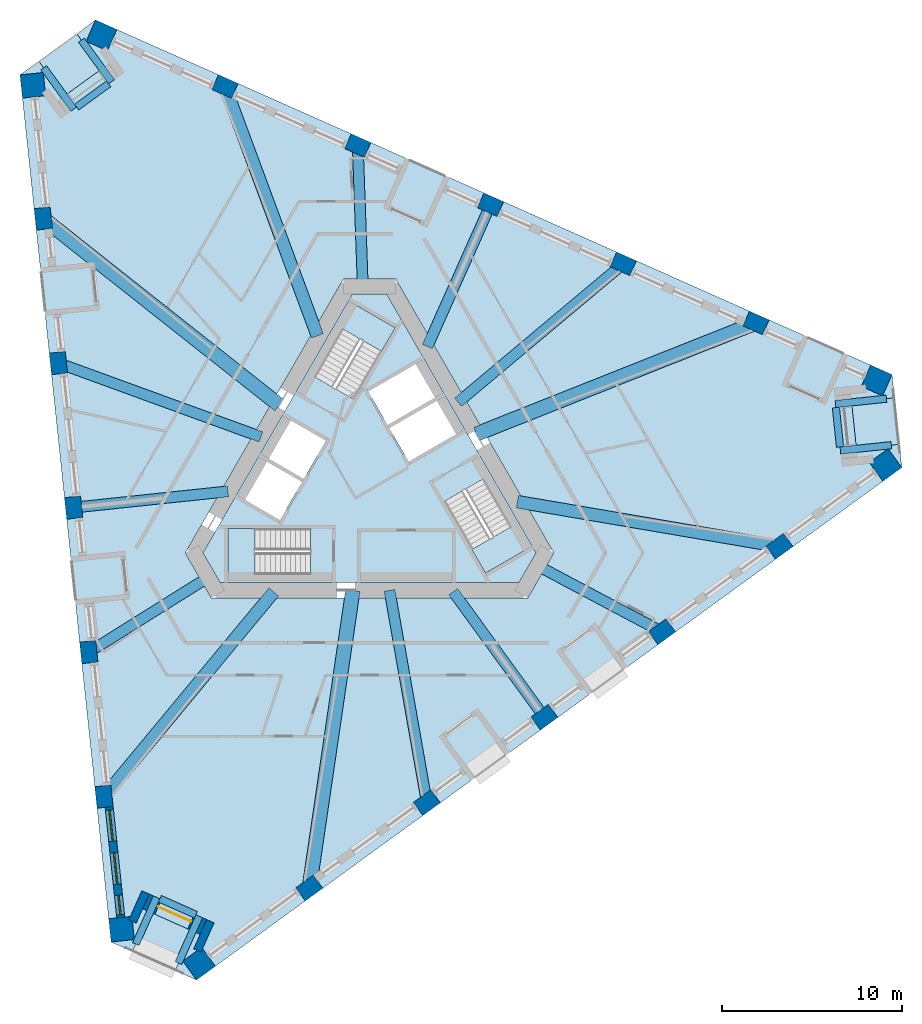
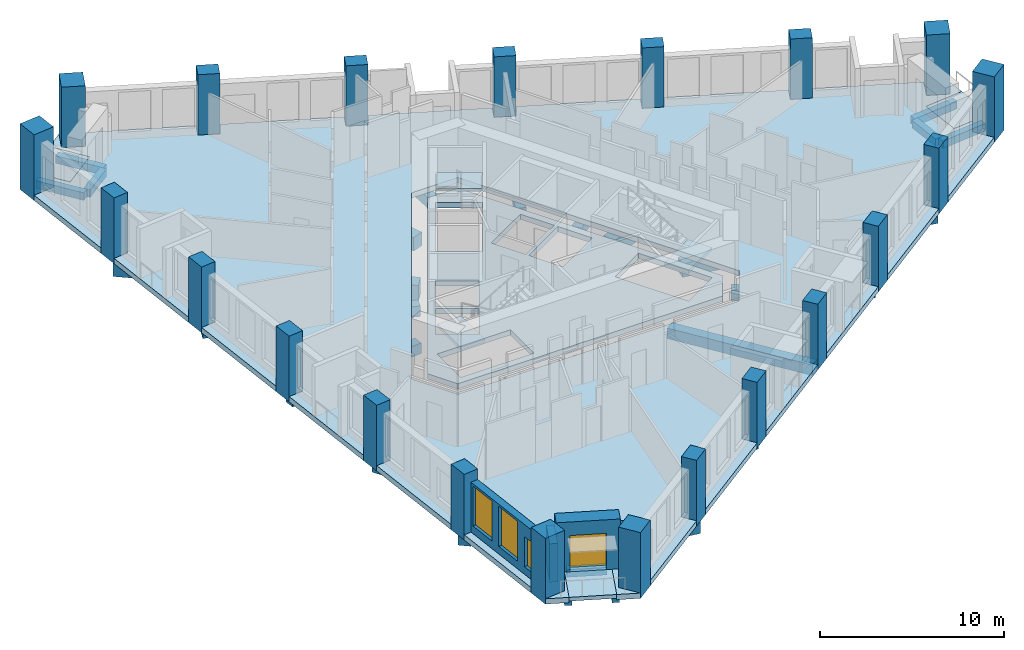
# One storey, part 1 of 14: 24 beams, 21 columns, 8 slabs, 4 walls, 3 windows, 1 door, 4 openings, 3 elements without a shape of their own.
"""IFC4 building model written with IfcOpenShell, lengths in metres."""

import ifcopenshell
import ifcopenshell.guid

model = None  # the IFC model being written
_history = None  # IfcOwnerHistory: only IFC2X3 demands one
_inside = {}  # id of a spatial element -> (the spatial element, [elements in it])
_under = {}  # id of a project, library or spatial element -> (it, [spatial elements below it])
_declared = {}  # id of a project -> (the project, [libraries it declares])
_typed = {}  # id of a type object -> (the type object, [elements of that type])
_made_of = {}  # id of a material, layer set ... -> (it, [elements and type objects made of it])


def new_model(schema):
    """Start an empty IFC model of exactly this schema.

    Asked for "IFC4X3", IfcOpenShell would pick the latest addendum, in which some entities
    have other attributes; the version numbers below select the first issue.
    IFC2X3 requires an IfcOwnerHistory on every rooted entity: one is made here for all.
    """
    global model, _history
    if schema == "IFC4X3":
        model = ifcopenshell.file(schema_version=(4, 3, 0, 0))
    else:
        model = ifcopenshell.file(schema=schema)
    _inside.clear()
    _under.clear()
    _declared.clear()
    _typed.clear()
    _made_of.clear()
    _history = None
    if model.schema == "IFC2X3":
        org = make("IfcOrganization", Name="unknown")
        user = make(
            "IfcPersonAndOrganization",
            ThePerson=make("IfcPerson", FamilyName="unknown"),
            TheOrganization=org,
        )
        app = make(
            "IfcApplication",
            ApplicationDeveloper=org,
            Version="unknown",
            ApplicationFullName="unknown",
            ApplicationIdentifier="unknown",
        )
        _history = make(
            "IfcOwnerHistory",
            OwningUser=user,
            OwningApplication=app,
            ChangeAction="ADDED",
            CreationDate=0,
        )
    return model


def make(cls, **values):
    """One entity of the class cls with the attributes given. An attribute that is None is left unset."""
    return model.create_entity(
        cls, **{name: value for name, value in values.items() if value is not None}
    )


def rooted(cls, **values):
    """An entity with a GlobalId (a new one), such as an element, a storey or a relation."""
    return make(cls, GlobalId=ifcopenshell.guid.new(), OwnerHistory=_history, **values)


def si_unit(unit_type, name, prefix=None):
    """IfcSIUnit, for example si_unit("LENGTHUNIT", "METRE", prefix="MILLI")."""
    return make("IfcSIUnit", UnitType=unit_type, Prefix=prefix, Name=name)


def assignment(units):
    """IfcUnitAssignment: the units of a project."""
    return None if units is None else make("IfcUnitAssignment", Units=units)


def point(xyz):
    """IfcCartesianPoint."""
    return None if xyz is None else make("IfcCartesianPoint", Coordinates=xyz)


def direction(xyz):
    """IfcDirection."""
    return None if xyz is None else make("IfcDirection", DirectionRatios=xyz)


def frame(location, z_axis=None, x_axis=None):
    """IfcAxis2Placement3D, a coordinate frame: its origin and axes. An axis left out is left unset."""
    return make(
        "IfcAxis2Placement3D",
        Location=point(location),
        Axis=direction(z_axis),
        RefDirection=direction(x_axis),
    )


def frame_2d(location, x_axis=None):
    """IfcAxis2Placement2D, a coordinate frame in the plane: its origin and x axis."""
    return make(
        "IfcAxis2Placement2D", Location=point(location), RefDirection=direction(x_axis)
    )


def origin():
    """The frame at (0, 0, 0) with its axes left unset."""
    return frame((0.0, 0.0, 0.0))


def origin_2d():
    """The frame at (0, 0) in the plane with its x axis left unset."""
    return frame_2d((0.0, 0.0))


def place(relative_to, where):
    """IfcLocalPlacement: puts the frame where relative to a parent placement (None: the world)."""
    return make(
        "IfcLocalPlacement", PlacementRelTo=relative_to, RelativePlacement=where
    )


def context(
    kind, dimensions, precision=None, world=None, true_north=None, identifier=None
):
    """IfcGeometricRepresentationContext, for example the 3D "Model" context."""
    return make(
        "IfcGeometricRepresentationContext",
        ContextIdentifier=identifier,
        ContextType=kind,
        CoordinateSpaceDimension=dimensions,
        Precision=precision,
        WorldCoordinateSystem=world,
        TrueNorth=true_north,
    )


def subcontext(parent, identifier, kind, view, scale=None):
    """IfcGeometricRepresentationSubContext, for example "Body" below "Model"."""
    return make(
        "IfcGeometricRepresentationSubContext",
        ContextIdentifier=identifier,
        ContextType=kind,
        ParentContext=parent,
        TargetScale=scale,
        TargetView=view,
    )


def project(units=None, contexts=None):
    """IfcProject with its units and contexts."""
    return rooted(
        "IfcProject",
        Name="project",
        RepresentationContexts=contexts,
        UnitsInContext=assignment(units),
    )


def spatial(cls, under=None, at=None, **own):
    """A site, building, storey or space (cls), placed at a placement, below another one or the project."""
    s = rooted(cls, ObjectPlacement=at, **own)
    if under is not None:
        _under.setdefault(under.id(), (under, []))[1].append(s)
    return s


def polyline(points):
    """IfcPolyline through the points."""
    return make("IfcPolyline", Points=[point(p) for p in points])


def profile(cls, at=None, kind="AREA", **sizes):
    """A parametric profile (cls). Its sizes go by their IFC names, for example OverallWidth=200.0."""
    return make(cls, ProfileType=kind, Position=at, **sizes)


def rectangle(**sizes):
    """IfcRectangleProfileDef."""
    return profile("IfcRectangleProfileDef", **sizes)


def outline(outer, holes=None, kind="AREA"):
    """IfcArbitraryClosedProfileDef: a profile drawn as a closed curve; with holes, ...WithVoids."""
    if holes is None:
        return make("IfcArbitraryClosedProfileDef", ProfileType=kind, OuterCurve=outer)
    return make(
        "IfcArbitraryProfileDefWithVoids",
        ProfileType=kind,
        OuterCurve=outer,
        InnerCurves=holes,
    )


def extrude(swept, where, along, depth):
    """IfcExtrudedAreaSolid: the profile swept, set in the frame where, extruded along a direction by depth."""
    return make(
        "IfcExtrudedAreaSolid",
        SweptArea=swept,
        Position=where,
        ExtrudedDirection=direction(along),
        Depth=depth,
    )


def shape(context_of_items, identifier, shape_type, items):
    """IfcShapeRepresentation: the items that make up one representation, for example the "Body"."""
    return make(
        "IfcShapeRepresentation",
        ContextOfItems=context_of_items,
        RepresentationIdentifier=identifier,
        RepresentationType=shape_type,
        Items=items,
    )


def material(Name=None, Category=None):
    """IfcMaterial."""
    return make("IfcMaterial", Name=Name, Category=Category)


def layer(
    of_material, thickness, ventilated=None, Name=None, Category=None, Priority=None
):
    """IfcMaterialLayer: one layer of a wall or slab, of a material (None: an air gap)."""
    return make(
        "IfcMaterialLayer",
        Material=of_material,
        LayerThickness=thickness,
        IsVentilated=ventilated,
        Name=Name,
        Category=Category,
        Priority=Priority,
    )


def layer_set(layers, Name=None):
    """IfcMaterialLayerSet."""
    return make("IfcMaterialLayerSet", MaterialLayers=layers, LayerSetName=Name)


def material_profile(
    of_material, cross_section, Name=None, Category=None, Priority=None
):
    """IfcMaterialProfile: a cross section and its material."""
    return make(
        "IfcMaterialProfile",
        Name=Name,
        Material=of_material,
        Profile=cross_section,
        Priority=Priority,
        Category=Category,
    )


def profile_set(profiles, Name=None, composite=None):
    """IfcMaterialProfileSet."""
    return make(
        "IfcMaterialProfileSet",
        Name=Name,
        MaterialProfiles=profiles,
        CompositeProfile=composite,
    )


def made_of(thing, what):
    """Note that an element or type object is made of a material, layer set ...; save() writes the relation."""
    if what is not None:
        _made_of.setdefault(what.id(), (what, []))[1].append(thing)
    return thing


def type_object(cls, material=None, **own):
    """A type object (cls), such as IfcWallType, which elements share."""
    return made_of(rooted(cls, **own), material)


def element(
    cls,
    number,
    at=None,
    inside=None,
    cuts=None,
    type_object=None,
    material=None,
    context=None,
    identifier="Body",
    shape_type=None,
    held_by="IfcProductDefinitionShape",
    body=None,
    shapes=None,
    **own,
):
    """One element of the class cls, such as IfcWall. Its Tag is "e" and its number.

    at: its placement. inside: the storey or other place that contains it. cuts: it is an
    opening in that element (IfcRelVoidsElement). A single representation is given by context,
    identifier, shape_type and body (its items); several are given by shapes. held_by: the class
    of the entity that holds the representations. save() writes the other relations.
    """
    e = rooted(cls, Tag="e%d" % number, ObjectPlacement=at, **own)
    if body is not None:
        shapes = [shape(context, identifier, shape_type, body)]
    if shapes is not None:
        e.Representation = make(held_by, Representations=shapes)
    if inside is not None:
        _inside.setdefault(inside.id(), (inside, []))[1].append(e)
    if cuts is not None:
        rooted(
            "IfcRelVoidsElement", RelatingBuildingElement=cuts, RelatedOpeningElement=e
        )
    if type_object is not None:
        _typed.setdefault(type_object.id(), (type_object, []))[1].append(e)
    return made_of(e, material)


def fill(opening, filler):
    """IfcRelFillsElement: the door or window that sits in an opening."""
    return rooted(
        "IfcRelFillsElement",
        RelatingOpeningElement=opening,
        RelatedBuildingElement=filler,
    )


def aggregate(whole, parts):
    """IfcRelAggregates: a whole, such as a stair, and the parts it consists of."""
    return rooted("IfcRelAggregates", RelatingObject=whole, RelatedObjects=parts)


def save(model, path):
    """Write the relations noted so far, then the file.

    IfcRelAggregates (storeys below a building ...), IfcRelContainedInSpatialStructure (elements
    in a storey), IfcRelDefinesByType, IfcRelAssociatesMaterial and IfcRelDeclares: one each for
    every whole, place, type object, material and project.
    """
    for whole, parts in _under.values():
        aggregate(whole, parts)
    for where, things in _inside.values():
        rooted(
            "IfcRelContainedInSpatialStructure",
            RelatedElements=things,
            RelatingStructure=where,
        )
    for kind, things in _typed.values():
        rooted("IfcRelDefinesByType", RelatedObjects=things, RelatingType=kind)
    for what, things in _made_of.values():
        rooted("IfcRelAssociatesMaterial", RelatedObjects=things, RelatingMaterial=what)
    for by, libraries in _declared.values():
        rooted("IfcRelDeclares", RelatingContext=by, RelatedDefinitions=libraries)
    model.write(path)


model = new_model("IFC4")

# Units and contexts
model_context = context("Model", 3, precision=1e-05, world=origin(), true_north=direction((0.0, 1.0)))
body_context = subcontext(model_context, "Body", "Model", "MODEL_VIEW")
ifc_project = project(units=[si_unit("LENGTHUNIT", "METRE"), si_unit("AREAUNIT", "SQUARE_METRE"), si_unit("VOLUMEUNIT", "CUBIC_METRE"), si_unit("PLANEANGLEUNIT", "RADIAN"), si_unit("MASSUNIT", "GRAM", prefix="KILO")], contexts=[model_context])

# Site, building, storey
site_placement = place(None, origin())
site = spatial("IfcSite", under=ifc_project, at=site_placement, CompositionType="ELEMENT")
building_placement = place(site_placement, origin())
building = spatial("IfcBuilding", under=site, at=building_placement, Name="Tramontana Tower", CompositionType="ELEMENT")
storey_placement = place(building_placement, frame((0.0, 0.0, 162.800048828125)))
storey = spatial("IfcBuildingStorey", under=building, at=storey_placement, Name="L37", CompositionType="ELEMENT", Elevation=162.800048828125)

# Columns
ifc_material_1 = material(Name="Concrete 55 MPa", Category="concrete")
ifc_material_profile_1 = material_profile(ifc_material_1, rectangle(XDim=1.300048828125, YDim=1.300048828125, at=origin_2d()), Name="Mega column 1300X1300 55 MPa")
ifc_profile_set_1 = profile_set([ifc_material_profile_1], Name="Concrete 55 MPa")
column_type_1 = type_object("IfcColumnType", Name="Mega column 1300X1300 55 MPa", PredefinedType="COLUMN", material=ifc_profile_set_1)
for number, where, z_axis, x_axis, name in (
    (1, (-18.72705078125, 21.760498046875, -0.35009765625), (0.0, 0.0, 1.0), (0.104528463268, -0.994521895368, 0.0), "Mega column C4K1 L37"),
    (2, (-13.793701171875, -25.178466796875, -0.35009765625), (0.0, 0.0, 1.0), (0.104528463268, -0.994521895368, 0.0), "Mega column C4K2 L37"),
    (3, (-9.4814453125, -27.098388671875, -0.35009765625), (0.0, 0.0, 1.0), (0.809016994375, 0.587785252292, 0.0), "Mega column C4K3 L37"),
    (4, (28.7021484375, 0.6435546875, -0.35009765625), (0.0, 0.0, 1.0), (0.809016994375, 0.587785252292, 0.0), "Mega column C4K4 L37"),
    (5, (28.208740234375, 5.337890625, -0.35009765625), (0.0, 0.0, 1.0), (-0.913545457643, 0.406736643076, 0.0), "Mega column C4K5 L37"),
    (6, (-14.908447265625, 24.534912109375, -0.35009765625), (0.0, 0.0, 1.0), (-0.913545457643, 0.406736643076, 0.0), "Mega column C4K6 L37"),
):
    element("IfcColumn", number, at=place(storey_placement, frame(where, z_axis=z_axis, x_axis=x_axis)), inside=storey, type_object=column_type_1, Name=name, PredefinedType="COLUMN", context=body_context, shape_type="SweptSolid", body=[
        extrude(rectangle(XDim=1.300048828125, YDim=1.300048828125, at=origin_2d()), origin(), (0.0, 0.0, 1.0), 4.35009765625),
    ])
ifc_material_2 = material(Name="Concrete 55 MPa", Category="concrete")
ifc_material_profile_2 = material_profile(ifc_material_2, rectangle(XDim=1.199951171875, YDim=0.89990234375, at=origin_2d()), Name="Pier column 1200X900 55 MPa")
ifc_profile_set_2 = profile_set([ifc_material_profile_2], Name="Concrete 55 MPa")
column_type_2 = type_object("IfcColumnType", Name="Pier column 1200X900 55 MPa", PredefinedType="COLUMN", material=ifc_profile_set_2)
for number, where, z_axis, x_axis, name in (
    (7, (-18.149169921875, 14.347412109375, -0.35009765625), (0.0, 0.0, 1.0), (0.104528463268, -0.994521895368, 0.0), "Pier column C4F01 L37"),
    (8, (-17.30419921875, 6.30859375, -0.35009765625), (0.0, 0.0, 1.0), (0.104528463268, -0.994521895368, 0.0), "Pier column C4F02 L37"),
    (9, (-16.459228515625, -1.72998046875, -0.35009765625), (0.0, 0.0, 1.0), (0.104528463268, -0.994521895368, 0.0), "Pier column C4F03 L37"),
    (10, (-15.614501953125, -9.7685546875, -0.35009765625), (0.0, 0.0, 1.0), (0.104528463268, -0.994521895368, 0.0), "Pier column C4F04 L37"),
    (11, (-14.76953125, -17.80712890625, -0.35009765625), (0.0, 0.0, 1.0), (0.104528463268, -0.994521895368, 0.0), "Pier column C4F05 L37"),
    (12, (-3.3505859375, -22.891357421875, -0.35009765625), (0.0, 0.0, 1.0), (0.809016994375, 0.587785252292, 0.0), "Pier column C4F06 L37"),
    (13, (3.188720703125, -18.14013671875, -0.35009765625), (0.0, 0.0, 1.0), (0.809016994375, 0.587785252292, 0.0), "Pier column C4F07 L37"),
    (14, (9.727783203125, -13.38916015625, -0.35009765625), (0.0, 0.0, 1.0), (0.809016994375, 0.587785252292, 0.0), "Pier column C4F08 L37"),
    (15, (16.26708984375, -8.63818359375, -0.35009765625), (0.0, 0.0, 1.0), (0.809016994375, 0.587785252292, 0.0), "Pier column C4F09 L37"),
    (16, (22.80615234375, -3.88720703125, -0.35009765625), (0.0, 0.0, 1.0), (0.809016994375, 0.587785252292, 0.0), "Pier column C4F10 L37"),
    (17, (21.499755859375, 8.5439453125, -0.35009765625), (0.0, 0.0, 1.0), (-0.913545457643, 0.406736643076, 0.0), "Pier column C4F11 L37"),
    (18, (14.115478515625, 11.83154296875, -0.35009765625), (0.0, 0.0, 1.0), (-0.913545457643, 0.406736643076, 0.0), "Pier column C4F12 L37"),
    (19, (6.7314453125, 15.119140625, -0.35009765625), (0.0, 0.0, 1.0), (-0.913545457643, 0.406736643076, 0.0), "Pier column C4F13 L37"),
    (20, (-0.652587890625, 18.40673828125, -0.35009765625), (0.0, 0.0, 1.0), (-0.913545457643, 0.406736643076, 0.0), "Pier column C4F14 L37"),
    (21, (-8.03662109375, 21.6943359375, -0.35009765625), (0.0, 0.0, 1.0), (-0.913545457643, 0.406736643076, 0.0), "Pier column C4F15 L37"),
):
    element("IfcColumn", number, at=place(storey_placement, frame(where, z_axis=z_axis, x_axis=x_axis)), inside=storey, type_object=column_type_2, Name=name, PredefinedType="COLUMN", context=body_context, shape_type="SweptSolid", body=[
        extrude(rectangle(XDim=1.199951171875, YDim=0.89990234375, at=origin_2d()), origin(), (0.0, 0.0, 1.0), 4.35009765625),
    ])

# Beams
ifc_material_3 = material(Name="Concrete 40 MPa", Category="concrete")
ifc_material_profile_3 = material_profile(ifc_material_3, rectangle(XDim=0.60009765625, YDim=0.699951171875, at=origin_2d()), Name="RC GIRDER 600X700 40 MPa")
ifc_profile_set_3 = profile_set([ifc_material_profile_3], Name="Concrete 40 MPa")
beam_type_1 = type_object("IfcBeamType", Name="RC GIRDER 600X700 40 MPa", PredefinedType="BEAM", material=ifc_profile_set_3)
beam_1_placement = place(storey_placement, frame((-17.30419921875, 6.30859375, -0.699951171875), z_axis=(0.939513090247, -0.342512997205, 0.0), x_axis=(0.342512997205, 0.939513090247, 0.0)))
element("IfcBeam", 22, at=beam_1_placement, inside=storey, type_object=beam_type_1, Name="Radial girder C4F02 L37", PredefinedType="BEAM", context=body_context, shape_type="SweptSolid", body=[
    extrude(rectangle(XDim=0.60009765625, YDim=0.699951171875, at=origin_2d()), origin(), (0.0, 0.0, 1.0), 11.989990234375),
])
beam_2_placement = place(storey_placement, frame((-16.459228515625, -1.72998046875, -0.699951171875), z_axis=(0.994520630985, 0.104540492367, 0.0), x_axis=(-0.104540492367, 0.994520630985, 0.0)))
element("IfcBeam", 23, at=beam_2_placement, inside=storey, type_object=beam_type_1, Name="Radial girder C4F03 L37", PredefinedType="BEAM", context=body_context, shape_type="SweptSolid", body=[
    extrude(rectangle(XDim=0.60009765625, YDim=0.699951171875, at=origin_2d()), origin(), (0.0, 0.0, 1.0), 8.631591796875),
])
beam_3_placement = place(storey_placement, frame((-15.614501953125, -9.7685546875, -0.699951171875), z_axis=(0.847767192537, 0.530368539091, 0.0), x_axis=(-0.530368539091, 0.847767192537, 0.0)))
element("IfcBeam", 24, at=beam_3_placement, inside=storey, type_object=beam_type_1, Name="Radial girder C4F04 L37", PredefinedType="BEAM", context=body_context, shape_type="SweptSolid", body=[
    extrude(rectangle(XDim=0.60009765625, YDim=0.699951171875, at=origin_2d()), origin(), (0.0, 0.0, 1.0), 7.83642578125),
])
beam_4_placement = place(storey_placement, frame((3.188720703125, -18.14013671875, -0.699951171875), z_axis=(-0.173139447083, 0.984897320467, 0.0), x_axis=(-0.984897320467, -0.173139447083, 0.0)))
element("IfcBeam", 25, at=beam_4_placement, inside=storey, type_object=beam_type_1, Name="Radial girder C4F07 L37", PredefinedType="BEAM", context=body_context, shape_type="SweptSolid", body=[
    extrude(rectangle(XDim=0.60009765625, YDim=0.699951171875, at=origin_2d()), origin(), (0.0, 0.0, 1.0), 11.989990234375),
])
beam_5_placement = place(storey_placement, frame((9.727783203125, -13.38916015625, -0.699951171875), z_axis=(-0.587793224159, 0.809011202415, 0.0), x_axis=(-0.809011202415, -0.587793224159, 0.0)))
element("IfcBeam", 26, at=beam_5_placement, inside=storey, type_object=beam_type_1, Name="Radial girder C4F08 L37", PredefinedType="BEAM", context=body_context, shape_type="SweptSolid", body=[
    extrude(rectangle(XDim=0.60009765625, YDim=0.699951171875, at=origin_2d()), origin(), (0.0, 0.0, 1.0), 8.63134765625),
])
beam_6_placement = place(storey_placement, frame((16.26708984375, -8.63818359375, -0.699951171875), z_axis=(-0.883198396805, 0.468999564905, 0.0), x_axis=(-0.468999564905, -0.883198396805, 0.0)))
element("IfcBeam", 27, at=beam_6_placement, inside=storey, type_object=beam_type_1, Name="Radial girder C4F09 L37", PredefinedType="BEAM", context=body_context, shape_type="SweptSolid", body=[
    extrude(rectangle(XDim=0.60009765625, YDim=0.699951171875, at=origin_2d()), origin(), (0.0, 0.0, 1.0), 7.83642578125),
])
beam_7_placement = place(storey_placement, frame((14.115478515625, 11.83154296875, -0.699951171875), z_axis=(-0.766377147971, -0.642390898961, 0.0), x_axis=(0.642390898961, -0.766377147971, 0.0)))
element("IfcBeam", 28, at=beam_7_placement, inside=storey, type_object=beam_type_1, Name="Radial girder C4F12 L37", PredefinedType="BEAM", context=body_context, shape_type="SweptSolid", body=[
    extrude(rectangle(XDim=0.60009765625, YDim=0.699951171875, at=origin_2d()), origin(), (0.0, 0.0, 1.0), 11.98974609375),
])
beam_8_placement = place(storey_placement, frame((6.7314453125, 15.119140625, -0.699951171875), z_axis=(-0.406736735655, -0.913545416424, 0.0), x_axis=(0.913545416424, -0.406736735655, 0.0)))
element("IfcBeam", 29, at=beam_8_placement, inside=storey, type_object=beam_type_1, Name="Radial girder C4F13 L37", PredefinedType="BEAM", context=body_context, shape_type="SweptSolid", body=[
    extrude(rectangle(XDim=0.60009765625, YDim=0.699951171875, at=origin_2d()), origin(), (0.0, 0.0, 1.0), 8.631591796875),
])
beam_9_placement = place(storey_placement, frame((-0.652587890625, 18.40673828125, -0.699951171875), z_axis=(0.035422608777, -0.999372422467, 0.0), x_axis=(0.999372422467, 0.035422608777, 0.0)))
element("IfcBeam", 30, at=beam_9_placement, inside=storey, type_object=beam_type_1, Name="Radial girder C4F14 L37", PredefinedType="BEAM", context=body_context, shape_type="SweptSolid", body=[
    extrude(rectangle(XDim=0.60009765625, YDim=0.699951171875, at=origin_2d()), origin(), (0.0, 0.0, 1.0), 7.83642578125),
])
ifc_material_4 = material(Name="Concrete 40 MPa", Category="concrete")
ifc_material_profile_4 = material_profile(ifc_material_4, rectangle(XDim=0.699951171875, YDim=0.89990234375, at=origin_2d()), Name="RC GIRDER 700X900 40 MPa")
ifc_profile_set_4 = profile_set([ifc_material_profile_4], Name="Concrete 40 MPa")
beam_type_2 = type_object("IfcBeamType", Name="RC GIRDER 700X900 40 MPa", PredefinedType="BEAM", material=ifc_profile_set_4)
for number, where, z_axis, x_axis, name in (
    (31, (-14.76953125, -17.80712890625, -0.800048828125), (0.638406477844, 0.769699401745, 0.0), (-0.769699401745, 0.638406477844, 0.0), "Radial girder C4F05 L37"),
    (32, (22.806396484375, -3.88720703125, -0.800048828125), (-0.985783673381, 0.168019490821, 0.0), (-0.168019490821, -0.985783673381, 0.0), "Radial girder C4F10 L37"),
    (33, (-8.03662109375, 21.6943359375, -0.800048828125), (0.347381556139, -0.93772386898, 0.0), (0.93772386898, 0.347381556139, 0.0), "Radial girder C4F15 L37"),
):
    element("IfcBeam", number, at=place(storey_placement, frame(where, z_axis=z_axis, x_axis=x_axis)), inside=storey, type_object=beam_type_2, Name=name, PredefinedType="BEAM", context=body_context, shape_type="SweptSolid", body=[
        extrude(rectangle(XDim=0.699951171875, YDim=0.89990234375, at=origin_2d()), origin(), (0.0, 0.0, 1.0), 14.79052734375),
    ])
ifc_material_5 = material(Name="Concrete 40 MPa", Category="concrete")
ifc_material_profile_5 = material_profile(ifc_material_5, rectangle(XDim=0.800048828125, YDim=1.10009765625, at=origin_2d()), Name="RC GIRDER 800X1100 40 MPa")
ifc_profile_set_5 = profile_set([ifc_material_profile_5], Name="Concrete 40 MPa")
beam_type_3 = type_object("IfcBeamType", Name="RC GIRDER 800X1100 40 MPa", PredefinedType="BEAM", material=ifc_profile_set_5)
for number, where, z_axis, x_axis, name in (
    (34, (-18.149169921875, 14.347412109375, -0.900146484375), (0.784478628915, -0.620155852005, 0.0), (0.620155852005, 0.784478628915, 0.0), "Radial girder C4F01 L37"),
    (35, (-3.3505859375, -22.891357421875, -0.900146484375), (0.144822515675, 0.989457648893, 0.0), (-0.989457648893, 0.144822515675, 0.0), "Radial girder C4F06 L37"),
):
    element("IfcBeam", number, at=place(storey_placement, frame(where, z_axis=z_axis, x_axis=x_axis)), inside=storey, type_object=beam_type_3, Name=name, PredefinedType="BEAM", context=body_context, shape_type="SweptSolid", body=[
        extrude(rectangle(XDim=0.800048828125, YDim=1.10009765625, at=origin_2d()), origin(), (0.0, 0.0, 1.0), 16.73828125),
    ])
beam_10_placement = place(storey_placement, frame((21.499755859375, 8.5439453125, -0.900146484375), z_axis=(-0.929307244414, -0.369307521558, 0.0), x_axis=(0.369307521558, -0.929307244414, 0.0)))
element("IfcBeam", 36, at=beam_10_placement, inside=storey, type_object=beam_type_3, Name="Radial girder C4F11 L37", PredefinedType="BEAM", context=body_context, shape_type="SweptSolid", body=[
    extrude(rectangle(XDim=0.800048828125, YDim=1.10009765625, at=origin_2d()), origin(), (0.0, 0.0, 1.0), 16.738525390625),
])
ifc_material_6 = material(Name="Concrete 40 MPa", Category="concrete")
ifc_material_profile_6 = material_profile(ifc_material_6, rectangle(XDim=0.39990234375, YDim=0.5, at=origin_2d()), Name="RC TRIM BEAM 400X500 40 MPa")
ifc_profile_set_6 = profile_set([ifc_material_profile_6], Name="Concrete 40 MPa")
beam_type_4 = type_object("IfcBeamType", Name="RC TRIM BEAM 400X500 40 MPa", PredefinedType="JOIST", material=ifc_profile_set_6)
beam_11_placement = place(storey_placement, frame((-14.510009765625, 21.8427734375, -0.60009765625), z_axis=(-0.809043118272, -0.587749294152, 0.0), x_axis=(0.587749294152, -0.809043118272, 0.0)))
element("IfcBeam", 37, at=beam_11_placement, inside=storey, type_object=beam_type_4, Name="Trimmer beam K0 L37", PredefinedType="JOIST", context=body_context, shape_type="SweptSolid", body=[
    extrude(rectangle(XDim=0.39990234375, YDim=0.5, at=origin_2d()), origin(), (0.0, 0.0, 1.0), 2.199951171875),
])
beam_12_placement = place(storey_placement, frame((-16.0234375, 24.26611328125, -0.60009765625), z_axis=(0.587759031922, -0.80903604394, 0.0), x_axis=(0.80903604394, 0.587759031922, 0.0)))
element("IfcBeam", 38, at=beam_12_placement, inside=storey, type_object=beam_type_4, Name="Tray beam K0L L37", PredefinedType="JOIST", context=body_context, shape_type="SweptSolid", body=[
    extrude(rectangle(XDim=0.39990234375, YDim=0.5, at=origin_2d()), origin(), (0.0, 0.0, 1.0), 2.849853515625),
])
beam_13_placement = place(storey_placement, frame((-18.126953125, 22.73779296875, -0.60009765625), z_axis=(0.587815099892, -0.808995307983, 0.0), x_axis=(0.808995307983, 0.587815099892, 0.0)))
element("IfcBeam", 39, at=beam_13_placement, inside=storey, type_object=beam_type_4, Name="Tray beam K0R L37", PredefinedType="JOIST", context=body_context, shape_type="SweptSolid", body=[
    extrude(rectangle(XDim=0.39990234375, YDim=0.5, at=origin_2d()), origin(), (0.0, 0.0, 1.0), 2.85009765625),
])
beam_14_placement = place(storey_placement, frame((-11.661376953125, -23.487548828125, -0.60009765625), z_axis=(0.913550510459, -0.406725294076, 0.0), x_axis=(0.406725294076, 0.913550510459, 0.0)))
element("IfcBeam", 40, at=beam_14_placement, inside=storey, type_object=beam_type_4, Name="Trimmer beam K1 L37", PredefinedType="JOIST", context=body_context, shape_type="SweptSolid", body=[
    extrude(rectangle(XDim=0.39990234375, YDim=0.5, at=origin_2d()), origin(), (0.0, 0.0, 1.0), 2.199951171875),
])
beam_15_placement = place(storey_placement, frame((-13.00341796875, -26.009765625, -0.60009765625), z_axis=(0.406782112653, 0.913525211927, 0.0), x_axis=(-0.913525211927, 0.406782112653, 0.0)))
element("IfcBeam", 41, at=beam_15_placement, inside=storey, type_object=beam_type_4, Name="Tray beam K1L L37", PredefinedType="JOIST", context=body_context, shape_type="SweptSolid", body=[
    extrude(rectangle(XDim=0.39990234375, YDim=0.5, at=origin_2d()), origin(), (0.0, 0.0, 1.0), 2.850341796875),
])
beam_16_placement = place(storey_placement, frame((-10.628173828125, -27.0673828125, -0.60009765625), z_axis=(0.406710626249, 0.913557040636, 0.0), x_axis=(-0.913557040636, 0.406710626249, 0.0)))
element("IfcBeam", 42, at=beam_16_placement, inside=storey, type_object=beam_type_4, Name="Tray beam K1R L37", PredefinedType="JOIST", context=body_context, shape_type="SweptSolid", body=[
    extrude(rectangle(XDim=0.39990234375, YDim=0.5, at=origin_2d()), origin(), (0.0, 0.0, 1.0), 2.85009765625),
])
beam_17_placement = place(storey_placement, frame((26.17138671875, 1.644775390625, -0.60009765625), z_axis=(-0.104546130575, 0.994520038301, 0.0), x_axis=(-0.994520038301, -0.104546130575, 0.0)))
element("IfcBeam", 43, at=beam_17_placement, inside=storey, type_object=beam_type_4, Name="Trimmer beam K2 L37", PredefinedType="JOIST", context=body_context, shape_type="SweptSolid", body=[
    extrude(rectangle(XDim=0.39990234375, YDim=0.5, at=origin_2d()), origin(), (0.0, 0.0, 1.0), 2.19970703125),
])
for number, where, z_axis, x_axis, name in (
    (44, (29.026611328125, 1.74365234375, -0.60009765625), (-0.994523276267, -0.104515324063, 0.0), (0.104515324063, -0.994523276267, 0.0), "Tray beam K2L L37"),
    (45, (28.7548828125, 4.329345703125, -0.60009765625), (-0.994523276267, -0.104515324063, 0.0), (0.104515324063, -0.994523276267, 0.0), "Tray beam K2R L37"),
):
    element("IfcBeam", number, at=place(storey_placement, frame(where, z_axis=z_axis, x_axis=x_axis)), inside=storey, type_object=beam_type_4, Name=name, PredefinedType="JOIST", context=body_context, shape_type="SweptSolid", body=[
        extrude(rectangle(XDim=0.39990234375, YDim=0.5, at=origin_2d()), origin(), (0.0, 0.0, 1.0), 2.849853515625),
    ])

# Slabs
ifc_material_7 = material(Name="Precast concrete 50 MPa", Category="concrete")
ifc_layer_1 = layer(ifc_material_7, 0.25)
ifc_layer_set_1 = layer_set([ifc_layer_1], Name="LT1 Loggia floor tray 250")
slab_type_1 = type_object("IfcSlabType", Name="LT1 Loggia floor tray 250", PredefinedType="FLOOR", material=ifc_layer_set_1)
slab_1_placement = place(storey_placement, frame((0.0, 0.0, -0.25)))
element("IfcSlab", 46, at=slab_1_placement, inside=storey, type_object=slab_type_1, Name="Corner loggia floor L37 K40", PredefinedType="FLOOR", context=body_context, shape_type="SweptSolid", body=[
    extrude(outline(polyline([(-16.287841796875, 24.630126953125), (-14.877197265625, 22.6884765625), (-16.980712890625, 21.16015625), (-18.391357421875, 23.101806640625), (-16.287841796875, 24.630126953125)])), origin(), (0.0, 0.0, 1.0), 0.25),
])
slab_2_placement = place(storey_placement, frame((0.0, 0.0, -0.25)))
element("IfcSlab", 47, at=slab_2_placement, inside=storey, type_object=slab_type_1, Name="Corner loggia floor L37 K41", PredefinedType="FLOOR", context=body_context, shape_type="SweptSolid", body=[
    extrude(outline(polyline([(-13.186279296875, -26.4208984375), (-12.210205078125, -24.228271484375), (-9.8349609375, -25.285888671875), (-10.81103515625, -27.478271484375), (-13.186279296875, -26.4208984375)])), origin(), (0.0, 0.0, 1.0), 0.25),
])
slab_3_placement = place(storey_placement, frame((0.0, 0.0, -0.25)))
element("IfcSlab", 48, at=slab_3_placement, inside=storey, type_object=slab_type_1, Name="Corner loggia floor L37 K42", PredefinedType="FLOOR", context=body_context, shape_type="SweptSolid", body=[
    extrude(outline(polyline([(29.474365234375, 1.790771484375), (27.08740234375, 1.539794921875), (26.815673828125, 4.12548828125), (29.202392578125, 4.37646484375), (29.474365234375, 1.790771484375)])), origin(), (0.0, 0.0, 1.0), 0.25),
])
ifc_material_8 = material(Name="Concrete 40 MPa", Category="concrete")
ifc_layer_2 = layer(ifc_material_8, 0.35009765625)
ifc_layer_set_2 = layer_set([ifc_layer_2], Name="PT FLAT SLAB 350 40 MPa")
slab_type_2 = type_object("IfcSlabType", Name="PT FLAT SLAB 350 40 MPa", PredefinedType="FLOOR", material=ifc_layer_set_2)
slab_4_placement = place(storey_placement, frame((0.0, 0.0, -0.35009765625)))
element("IfcSlab", 49, at=slab_4_placement, inside=storey, type_object=slab_type_2, Name="Floor slab L37", PredefinedType="FLOOR", context=body_context, shape_type="SweptSolid", body=[
    extrude(outline(polyline([(29.202392578125, 4.37646484375), (26.815673828125, 4.12548828125), (27.08740234375, 1.539794921875), (29.474365234375, 1.790771484375), (29.610107421875, 0.499755859375), (-9.625244140625, -28.00634765625), (-10.81103515625, -27.478271484375), (-9.8349609375, -25.285888671875), (-12.210205078125, -24.228271484375), (-13.186279296875, -26.4208984375), (-14.372314453125, -25.892822265625), (-19.441650390625, 22.3388671875), (-18.391357421875, 23.101806640625), (-16.980712890625, 21.16015625), (-14.877197265625, 22.6884765625), (-16.287841796875, 24.630126953125), (-15.23779296875, 25.39306640625), (29.06689453125, 5.66748046875), (29.202392578125, 4.37646484375)]), holes=[polyline([(-10.248046875, -4.25), (-8.8046875, -6.75), (8.8046875, -6.75), (10.248046875, -4.25), (1.443359375, 11.0), (-1.443359375, 11.0), (-10.248046875, -4.25)])]), origin(), (0.0, 0.0, 1.0), 0.35009765625),
])
slab_5_placement = place(storey_placement, frame((0.0, 0.0, -0.35009765625)))
element("IfcSlab", 50, at=slab_5_placement, inside=storey, type_object=slab_type_2, Name="Core floor slab L37", PredefinedType="FLOOR", context=body_context, shape_type="SweptSolid", body=[
    extrude(outline(polyline([(9.2666015625, -4.25), (8.313720703125, -5.89990234375), (-8.313720703125, -5.89990234375), (-9.2666015625, -4.25), (-0.95263671875, 10.14990234375), (0.95263671875, 10.14990234375), (9.2666015625, -4.25)]), holes=[polyline([(8.659912109375, -4.099365234375), (6.35986328125, -0.115478515625), (4.151611328125, -1.390625), (6.451416015625, -5.374267578125), (8.659912109375, -4.099365234375)]), polyline([(3.829833984375, 4.2666015625), (1.101806640625, 2.69140625), (2.177001953125, 0.82958984375), (4.90478515625, 2.404541015625), (3.829833984375, 4.2666015625)]), polyline([(2.65478515625, 6.3017578125), (-0.072998046875, 4.726806640625), (1.001953125, 2.86474609375), (3.729736328125, 4.439697265625), (2.65478515625, 6.3017578125)]), polyline([(-0.77978515625, 9.54931640625), (-3.079833984375, 5.565673828125), (-0.87158203125, 4.29052734375), (1.428466796875, 8.2744140625), (-0.77978515625, 9.54931640625)]), polyline([(-5.689697265625, 1.044921875), (-3.65478515625, -0.130126953125), (-2.4296875, 1.99169921875), (-4.46484375, 3.166748046875), (-5.689697265625, 1.044921875)]), polyline([(-3.280029296875, -5.449951171875), (-3.280029296875, -2.89990234375), (-7.8798828125, -2.89990234375), (-7.8798828125, -5.449951171875), (-3.280029296875, -5.449951171875)]), polyline([(-7.014892578125, -1.25), (-4.979736328125, -2.425048828125), (-3.754638671875, -0.30322265625), (-5.789794921875, 0.87158203125), (-7.014892578125, -1.25)])]), origin(), (0.0, 0.0, 1.0), 0.35009765625),
])

# Stair, slab
ifc_material_9 = material(Name="Concrete 40 MPa", Category="concrete")
stair_type = type_object("IfcStairType", Name="EXIT STAIR 24 RISERS", PredefinedType="HALF_TURN_STAIR", material=ifc_material_9)
stair_1_placement = place(storey_placement, origin())
stair_1 = element("IfcStair", 51, at=stair_1_placement, inside=storey, type_object=stair_type, Name="L37 Exit stair ST1", PredefinedType="HALF_TURN_STAIR")
ifc_material_10 = material(Name="Concrete 40 MPa", Category="concrete")
ifc_layer_3 = layer(ifc_material_10, 0.199951171875)
ifc_layer_set_3 = layer_set([ifc_layer_3], Name="STAIR LANDING 200")
slab_type_3 = type_object("IfcSlabType", Name="STAIR LANDING 200", PredefinedType="LANDING", material=ifc_layer_set_3)
slab_6_placement = place(storey_placement, frame((0.0, 0.0, 1.800048828125)))
slab_6 = element("IfcSlab", 52, at=slab_6_placement, type_object=slab_type_3, Name="ST1 landing 1", PredefinedType="LANDING", context=body_context, shape_type="SweptSolid", body=[
    extrude(outline(polyline([(0.66845703125, 6.9580078125), (1.428466796875, 8.274169921875), (-0.77978515625, 9.54931640625), (-1.539794921875, 8.23291015625), (0.66845703125, 6.9580078125)])), origin(), (0.0, 0.0, 1.0), 0.199951171875),
])
aggregate(stair_1, [slab_6])

stair_2_placement = place(storey_placement, origin())
stair_2 = element("IfcStair", 53, at=stair_2_placement, inside=storey, type_object=stair_type, Name="L37 Exit stair ST2", PredefinedType="HALF_TURN_STAIR")
slab_7_placement = place(storey_placement, frame((0.0, 0.0, 1.800048828125)))
slab_7 = element("IfcSlab", 54, at=slab_7_placement, type_object=slab_type_3, Name="ST2 landing 1", PredefinedType="LANDING", context=body_context, shape_type="SweptSolid", body=[
    extrude(outline(polyline([(-6.360107421875, -2.89990234375), (-7.8798828125, -2.89990234375), (-7.8798828125, -5.449951171875), (-6.360107421875, -5.449951171875), (-6.360107421875, -2.89990234375)])), origin(), (0.0, 0.0, 1.0), 0.199951171875),
])
aggregate(stair_2, [slab_7])

stair_3_placement = place(storey_placement, origin())
stair_3 = element("IfcStair", 55, at=stair_3_placement, inside=storey, type_object=stair_type, Name="L37 Exit stair ST3", PredefinedType="HALF_TURN_STAIR")
slab_8_placement = place(storey_placement, frame((0.0, 0.0, 1.800048828125)))
slab_8 = element("IfcSlab", 56, at=slab_8_placement, type_object=slab_type_3, Name="ST3 landing 1", PredefinedType="LANDING", context=body_context, shape_type="SweptSolid", body=[
    extrude(outline(polyline([(5.69140625, -4.057861328125), (6.451416015625, -5.374267578125), (8.659912109375, -4.099365234375), (7.89990234375, -2.782958984375), (5.69140625, -4.057861328125)])), origin(), (0.0, 0.0, 1.0), 0.199951171875),
])
aggregate(stair_3, [slab_8])

# Wall, openings, windows
ifc_material_11 = material(Name="Precast concrete 60 MPa", Category="concrete")
ifc_layer_4 = layer(ifc_material_11, 0.449951171875)
ifc_layer_set_4 = layer_set([ifc_layer_4], Name="Precast concrete 60 MPa, 450 mm")
wall_type_1 = type_object("IfcWallType", Name="EW1 Stone-faced precast wall 450", PredefinedType="SOLIDWALL", material=ifc_layer_set_4)
wall_1_placement = place(storey_placement, frame((-14.483154296875, -18.38037109375, 0.0), z_axis=(0.0, 0.0, 1.0), x_axis=(0.104557348575, -0.994518858976, 0.0)))
wall_1 = element("IfcWall", 57, at=wall_1_placement, inside=storey, type_object=wall_type_1, Name="External wall L37 face 0 bay 6", PredefinedType="SOLIDWALL", context=body_context, shape_type="SweptSolid", body=[
    extrude(rectangle(XDim=6.18310546875, YDim=0.449951171875, at=frame_2d((3.091552734375, 0.0))), origin(), (0.0, 0.0, 1.0), 3.300048828125),
])
opening_1_placement = place(wall_1_placement, frame((0.172119140625, 0.0, 0.5)))
opening_1 = element("IfcOpeningElement", 58, at=opening_1_placement, cuts=wall_1, Name="Opening M2", PredefinedType="OPENING", context=body_context, shape_type="SweptSolid", body=[
    extrude(rectangle(XDim=1.75, YDim=2.64990234375, at=frame_2d((0.875, 1.324951171875))), frame((0.0, 0.23486328125, 0.0), z_axis=(0.0, -1.0, 0.0), x_axis=(1.0, 0.0, 0.0)), (0.0, 0.0, 1.0), 0.469970703125),
])
opening_2_placement = place(wall_1_placement, frame((2.56640625, 0.0, 0.5)))
opening_2 = element("IfcOpeningElement", 59, at=opening_2_placement, cuts=wall_1, Name="Opening M2", PredefinedType="OPENING", context=body_context, shape_type="SweptSolid", body=[
    extrude(rectangle(XDim=1.75, YDim=2.64990234375, at=frame_2d((0.875, 1.324951171875))), frame((0.0, 0.23486328125, 0.0), z_axis=(0.0, -1.0, 0.0), x_axis=(1.0, 0.0, 0.0)), (0.0, 0.0, 1.0), 0.469970703125),
])
opening_3_placement = place(wall_1_placement, frame((4.935791015625, 0.0, 0.5)))
opening_3 = element("IfcOpeningElement", 60, at=opening_3_placement, cuts=wall_1, Name="Opening N2L", PredefinedType="OPENING", context=body_context, shape_type="SweptSolid", body=[
    extrude(rectangle(XDim=1.10009765625, YDim=2.0, at=frame_2d((0.550048828125, 1.0))), frame((0.0, 0.23486328125, 0.0), z_axis=(0.0, -1.0, 0.0), x_axis=(1.0, 0.0, 0.0)), (0.0, 0.0, 1.0), 0.469970703125),
])
ifc_material_12 = material(Name="Aluminum frame, double glazing unit", Category="aluminium")
window_type_1 = type_object("IfcWindowType", Name="M2 Window 1.75 x 2.65", PartitioningType="SINGLE_PANEL", PredefinedType="WINDOW", material=ifc_material_12)
window_1_placement = place(opening_1_placement, origin())
window_1 = element("IfcWindow", 61, at=window_1_placement, inside=storey, type_object=window_type_1, Name="Window M2 L37 face 0 module 16", OverallHeight=2.64990234375, OverallWidth=1.75, PartitioningType="SINGLE_PANEL", PredefinedType="WINDOW", context=body_context, shape_type="SweptSolid", body=[
    extrude(rectangle(XDim=1.75, YDim=2.64990234375, at=frame_2d((0.875, 1.324951171875))), frame((0.0, 0.030029296875, 0.0), z_axis=(0.0, -1.0, 0.0), x_axis=(1.0, 0.0, 0.0)), (0.0, 0.0, 1.0), 0.06005859375),
])
fill(opening_1, window_1)
window_2_placement = place(opening_2_placement, origin())
window_2 = element("IfcWindow", 62, at=window_2_placement, inside=storey, type_object=window_type_1, Name="Window M2 L37 face 0 module 17", OverallHeight=2.64990234375, OverallWidth=1.75, PartitioningType="SINGLE_PANEL", PredefinedType="WINDOW", context=body_context, shape_type="SweptSolid", body=[
    extrude(rectangle(XDim=1.75, YDim=2.64990234375, at=frame_2d((0.875, 1.324951171875))), frame((0.0, 0.030029296875, 0.0), z_axis=(0.0, -1.0, 0.0), x_axis=(1.0, 0.0, 0.0)), (0.0, 0.0, 1.0), 0.06005859375),
])
fill(opening_2, window_2)
ifc_material_13 = material(Name="Aluminum frame, double glazing unit", Category="aluminium")
window_type_2 = type_object("IfcWindowType", Name="N2L Window 1.1 x 2", PartitioningType="SINGLE_PANEL", PredefinedType="WINDOW", material=ifc_material_13)
window_3_placement = place(opening_3_placement, origin())
window_3 = element("IfcWindow", 63, at=window_3_placement, inside=storey, type_object=window_type_2, Name="Window N2L L37 face 0 module 18", OverallHeight=2.0, OverallWidth=1.10009765625, PartitioningType="SINGLE_PANEL", PredefinedType="WINDOW", context=body_context, shape_type="SweptSolid", body=[
    extrude(rectangle(XDim=1.10009765625, YDim=2.0, at=frame_2d((0.550048828125, 1.0))), frame((0.0, 0.030029296875, 0.0), z_axis=(0.0, -1.0, 0.0), x_axis=(1.0, 0.0, 0.0)), (0.0, 0.0, 1.0), 0.06005859375),
])
fill(opening_3, window_3)

# Walls
wall_2_placement = place(storey_placement, frame((-9.575927734375, -26.363525390625, 0.0), z_axis=(0.0, 0.0, 1.0), x_axis=(0.406749543613, 0.913539713844, 0.0)))
element("IfcWall", 64, at=wall_2_placement, inside=storey, type_object=wall_type_1, Name="Corner loggia side wall L37 K41l", PredefinedType="SOLIDWALL", context=body_context, shape_type="SweptSolid", body=[
    extrude(rectangle(XDim=1.779052734375, YDim=0.449951171875, at=frame_2d((0.8896484375, 0.0))), origin(), (0.0, 0.0, 1.0), 2.550048828125),
])
wall_3_placement = place(storey_placement, frame((-13.184326171875, -24.757080078125, 0.0), z_axis=(0.0, 0.0, 1.0), x_axis=(0.406698557215, 0.913562413609, 0.0)))
element("IfcWall", 65, at=wall_3_placement, inside=storey, type_object=wall_type_1, Name="Corner loggia side wall L37 K41r", PredefinedType="SOLIDWALL", context=body_context, shape_type="SweptSolid", body=[
    extrude(rectangle(XDim=1.779296875, YDim=0.449951171875, at=frame_2d((0.8896484375, 0.0))), origin(), (0.0, 0.0, 1.0), 2.550048828125),
])

# Wall, opening, door
ifc_material_14 = material(Name="Precast concrete 60 MPa", Category="concrete")
ifc_layer_5 = layer(ifc_material_14, 0.89990234375)
ifc_layer_set_5 = layer_set([ifc_layer_5], Name="EW2 Stone-faced corner loggia wall 900")
wall_type_2 = type_object("IfcWallType", Name="EW2 Stone-faced corner loggia wall 900", PredefinedType="SOLIDWALL", material=ifc_layer_set_5)
wall_4_placement = place(storey_placement, frame((-9.24072265625, -25.057861328125, 0.0), z_axis=(0.0, 0.0, 1.0), x_axis=(-0.913549606868, 0.406727323635, 0.0)))
wall_4 = element("IfcWall", 66, at=wall_4_placement, inside=storey, type_object=wall_type_2, Name="Corner loggia wall L37 K41", PredefinedType="SOLIDWALL", context=body_context, shape_type="SweptSolid", body=[
    extrude(rectangle(XDim=3.5, YDim=0.89990234375, at=frame_2d((1.75, 0.0))), origin(), (0.0, 0.0, 1.0), 3.300048828125),
])
opening_4_placement = place(wall_4_placement, frame((0.75, 0.0, 0.0)))
opening_4 = element("IfcOpeningElement", 67, at=opening_4_placement, cuts=wall_4, Name="Opening BD-41C", PredefinedType="OPENING", context=body_context, shape_type="SweptSolid", body=[
    extrude(rectangle(XDim=2.0, YDim=2.39990234375, at=frame_2d((1.0, 1.199951171875))), frame((0.0, 0.4599609375, 0.0), z_axis=(0.0, -1.0, 0.0), x_axis=(1.0, 0.0, 0.0)), (0.0, 0.0, 1.0), 0.919921875),
])
ifc_material_15 = material(Name="Aluminum frame, double glazing unit", Category="aluminium")
door_type = type_object("IfcDoorType", Name="BC1 Sliding door 2 x 2.4", OperationType="SLIDING_TO_LEFT", PredefinedType="DOOR", material=ifc_material_15)
door_placement = place(opening_4_placement, origin())
door = element("IfcDoor", 68, at=door_placement, inside=storey, type_object=door_type, Name="Corner loggia door L37 K41", OperationType="SLIDING_TO_LEFT", OverallHeight=2.39990234375, OverallWidth=2.0, PredefinedType="DOOR", context=body_context, shape_type="SweptSolid", body=[
    extrude(rectangle(XDim=2.0, YDim=2.39990234375, at=frame_2d((1.0, 1.199951171875))), frame((0.0, 0.02490234375, 0.0), z_axis=(0.0, -1.0, 0.0), x_axis=(1.0, 0.0, 0.0)), (0.0, 0.0, 1.0), 0.050048828125),
])
fill(opening_4, door)

save(model, "model.ifc")
